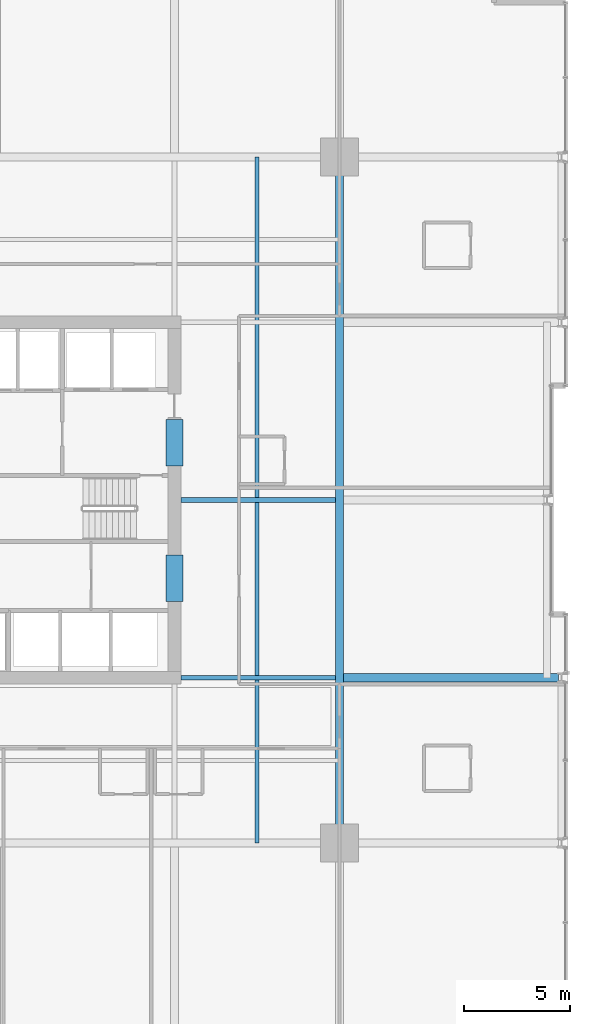
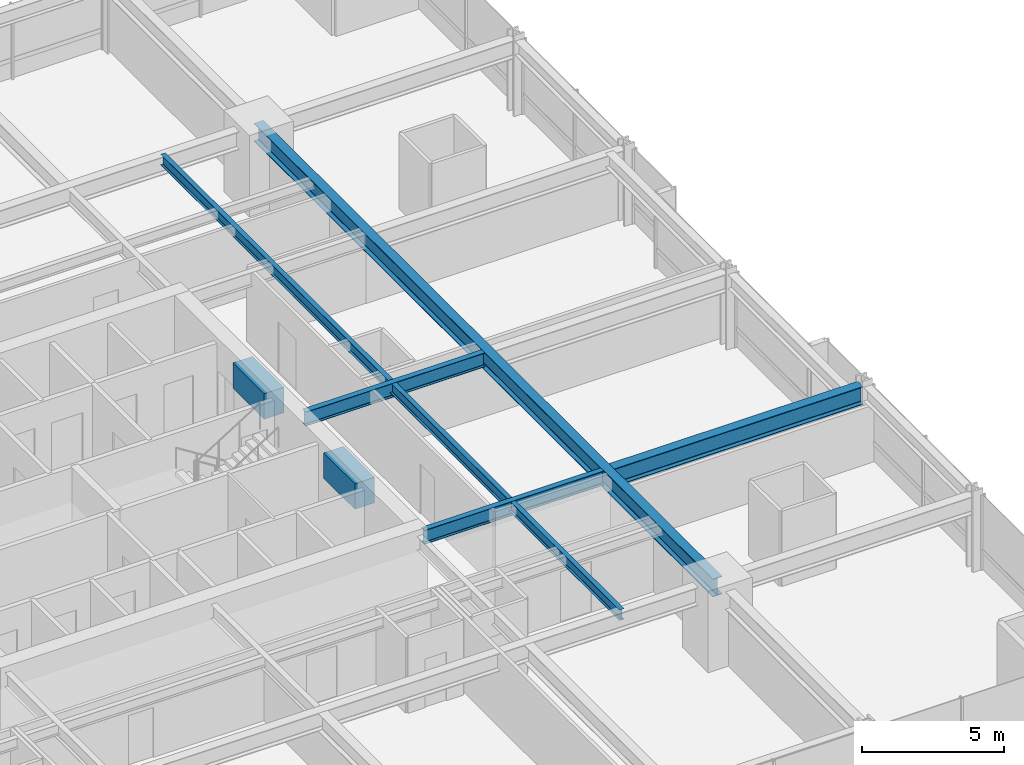
# One storey, part 15 of 37: 7 beams.
"""IFC4 building model written with IfcOpenShell, lengths in metres."""

from ifc_helpers import new_model, si_unit, direction, frame, origin, origin_2d, place, context, subcontext, project, spatial, rectangle, i_section, extrude, material, material_profile, profile_set, type_object, element, save


model = new_model("IFC4")

# Units and contexts
model_context = context("Model", 3, precision=1e-05, world=origin(), true_north=direction((0.0, 1.0)))
body_context = subcontext(model_context, "Body", "Model", "MODEL_VIEW")
ifc_project = project(units=[si_unit("LENGTHUNIT", "METRE"), si_unit("AREAUNIT", "SQUARE_METRE"), si_unit("VOLUMEUNIT", "CUBIC_METRE"), si_unit("PLANEANGLEUNIT", "RADIAN"), si_unit("MASSUNIT", "GRAM", prefix="KILO")], contexts=[model_context])

# Site, building, storey
site_placement = place(None, origin())
site = spatial("IfcSite", under=ifc_project, at=site_placement, CompositionType="ELEMENT")
building_placement = place(site_placement, origin())
building = spatial("IfcBuilding", under=site, at=building_placement, Name="Drelvath Grand Hotel", CompositionType="ELEMENT")
storey_placement = place(building_placement, frame((0.0, 0.0, 75.199951171875)))
storey = spatial("IfcBuildingStorey", under=building, at=storey_placement, Name="L18", CompositionType="ELEMENT", Elevation=75.199951171875)

# Beams
ifc_material_1 = material(Name="Steel ASTM A992 Gr 50", Category="steel")
ifc_material_profile_1 = material_profile(ifc_material_1, i_section(OverallWidth=0.19140625, OverallDepth=0.4599609375, WebThickness=0.010009765625, FlangeThickness=0.01611328125, FilletRadius=0.01611328125, at=origin_2d()), Name="W18X55")
ifc_profile_set_1 = profile_set([ifc_material_profile_1], Name="Steel ASTM A992 Gr 50")
beam_type_1 = type_object("IfcBeamType", Name="Composite Floor Joist W18X55", PredefinedType="JOIST", material=ifc_profile_set_1)
beam_1_placement = place(storey_placement, frame((12.300048828125, 10.800048828125, 3.010009765625), z_axis=(0.0, 1.0, 0.0), x_axis=(-1.0, 0.0, 0.0)))
element("IfcBeam", 1, at=beam_1_placement, inside=storey, type_object=beam_type_1, Name="L18 Wing Floor Joist J4", PredefinedType="JOIST", context=body_context, shape_type="SweptSolid", body=[
    extrude(i_section(OverallWidth=0.19140625, OverallDepth=0.4599609375, WebThickness=0.010009765625, FlangeThickness=0.01611328125, FilletRadius=0.01611328125, at=origin_2d()), origin(), (0.0, 0.0, 1.0), 32.39990234375),
])
ifc_material_2 = material(Name="Concrete f'c 70 MPa", Category="concrete")
ifc_material_profile_2 = material_profile(ifc_material_2, rectangle(XDim=0.800048828125, YDim=1.10009765625, at=origin_2d()), Name="CB800X1100")
ifc_profile_set_2 = profile_set([ifc_material_profile_2], Name="Concrete f'c 70 MPa")
beam_type_2 = type_object("IfcBeamType", Name="Core Coupling Lintel CB800X1100", PredefinedType="LINTEL", material=ifc_profile_set_2)
for number, where, z_axis, x_axis, name in (
    (2, (8.39990234375, 22.199951171875, 2.68994140625), (0.0, 1.0, 0.0), (-1.0, 0.0, 0.0), "L18 Core Coupling Lintel ES"),
    (3, (8.39990234375, 28.60009765625, 2.68994140625), (0.0, 1.0, 0.0), (-1.0, 0.0, 0.0), "L18 Core Coupling Lintel EN"),
):
    element("IfcBeam", number, at=place(storey_placement, frame(where, z_axis=z_axis, x_axis=x_axis)), inside=storey, type_object=beam_type_2, Name=name, PredefinedType="LINTEL", context=body_context, shape_type="SweptSolid", body=[
        extrude(rectangle(XDim=0.800048828125, YDim=1.10009765625, at=origin_2d()), origin(), (0.0, 0.0, 1.0), 2.199951171875),
    ])
ifc_material_profile_3 = material_profile(ifc_material_1, i_section(OverallWidth=0.228271484375, OverallDepth=0.607666015625, WebThickness=0.01123046875, FlangeThickness=0.017333984375, FilletRadius=0.02001953125, at=origin_2d()), Name="W24X76")
ifc_profile_set_3 = profile_set([ifc_material_profile_3], Name="Steel ASTM A992 Gr 50")
beam_type_3 = type_object("IfcBeamType", Name="Primary Floor Girder W24X76", PredefinedType="BEAM", material=ifc_profile_set_3)
for number, where, z_axis, x_axis, name in (
    (4, (8.699951171875, 18.60009765625, 2.936279296875), (1.0, 0.0, 0.0), (0.0, 1.0, 0.0), "L18 East Core Tie D"),
    (5, (8.699951171875, 27.0, 2.936279296875), (1.0, 0.0, 0.0), (0.0, 1.0, 0.0), "L18 East Core Tie E"),
):
    element("IfcBeam", number, at=place(storey_placement, frame(where, z_axis=z_axis, x_axis=x_axis)), inside=storey, type_object=beam_type_3, Name=name, PredefinedType="BEAM", context=body_context, shape_type="SweptSolid", body=[
        extrude(i_section(OverallWidth=0.228271484375, OverallDepth=0.607666015625, WebThickness=0.01123046875, FlangeThickness=0.017333984375, FilletRadius=0.02001953125, at=origin_2d()), origin(), (0.0, 0.0, 1.0), 7.309814453125),
    ])
ifc_material_profile_4 = material_profile(ifc_material_1, i_section(OverallWidth=0.380615234375, OverallDepth=0.773193359375, WebThickness=0.0166015625, FlangeThickness=0.027099609375, FilletRadius=0.02490234375, at=origin_2d()), Name="W30X173")
ifc_profile_set_4 = profile_set([ifc_material_profile_4], Name="Steel ASTM A992 Gr 50")
beam_type_4 = type_object("IfcBeamType", Name="Primary Floor Girder W30X173", PredefinedType="BEAM", material=ifc_profile_set_4)
beam_2_placement = place(storey_placement, frame((16.199951171875, 10.800048828125, 2.853515625), z_axis=(0.0, 1.0, 0.0), x_axis=(-1.0, 0.0, 0.0)))
element("IfcBeam", 6, at=beam_2_placement, inside=storey, type_object=beam_type_4, Name="L18 Mega Ring Girder East", PredefinedType="BEAM", context=body_context, shape_type="SweptSolid", body=[
    extrude(i_section(OverallWidth=0.380615234375, OverallDepth=0.773193359375, WebThickness=0.0166015625, FlangeThickness=0.027099609375, FilletRadius=0.02490234375, at=origin_2d()), origin(), (0.0, 0.0, 1.0), 32.39990234375),
])
beam_3_placement = place(storey_placement, frame((16.390380859375, 18.60009765625, 2.853515625), z_axis=(1.0, 0.0, 0.0), x_axis=(0.0, 1.0, 0.0)))
element("IfcBeam", 7, at=beam_3_placement, inside=storey, type_object=beam_type_4, Name="L18 East Wing Girder D", PredefinedType="BEAM", context=body_context, shape_type="SweptSolid", body=[
    extrude(i_section(OverallWidth=0.380615234375, OverallDepth=0.773193359375, WebThickness=0.0166015625, FlangeThickness=0.027099609375, FilletRadius=0.02490234375, at=origin_2d()), origin(), (0.0, 0.0, 1.0), 10.149658203125),
])

save(model, "model.ifc")
